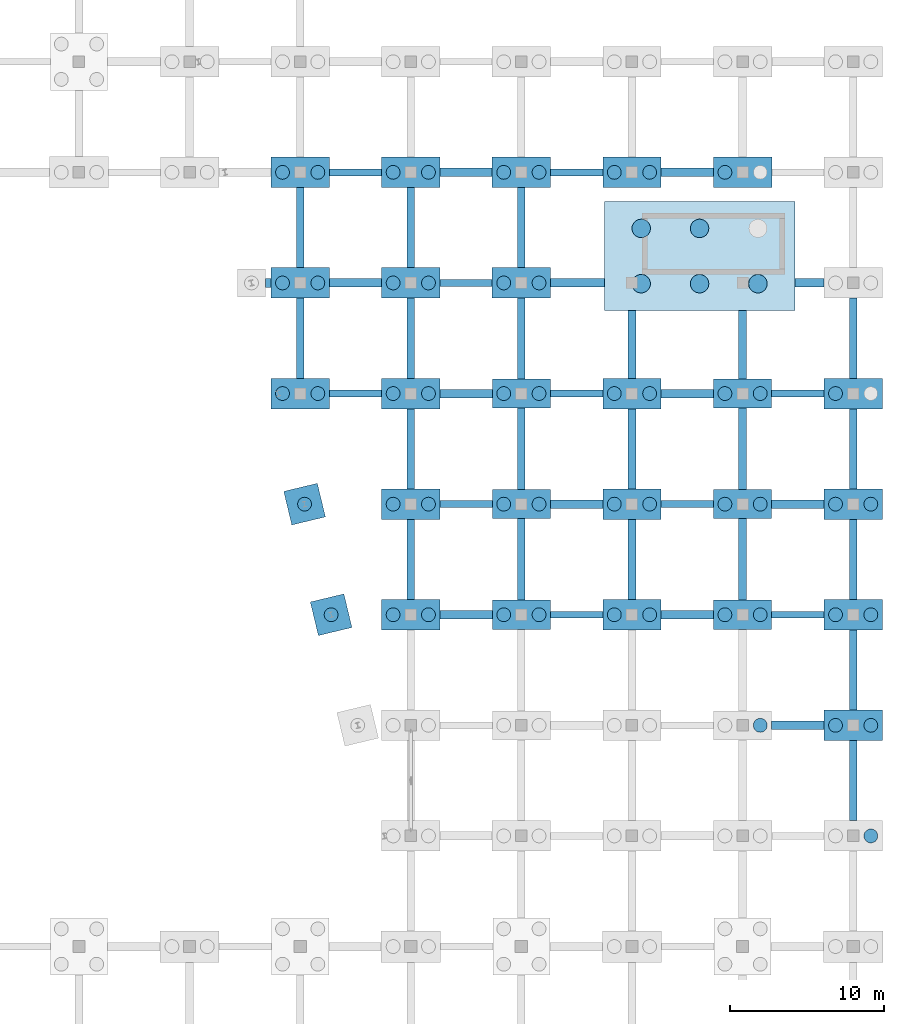
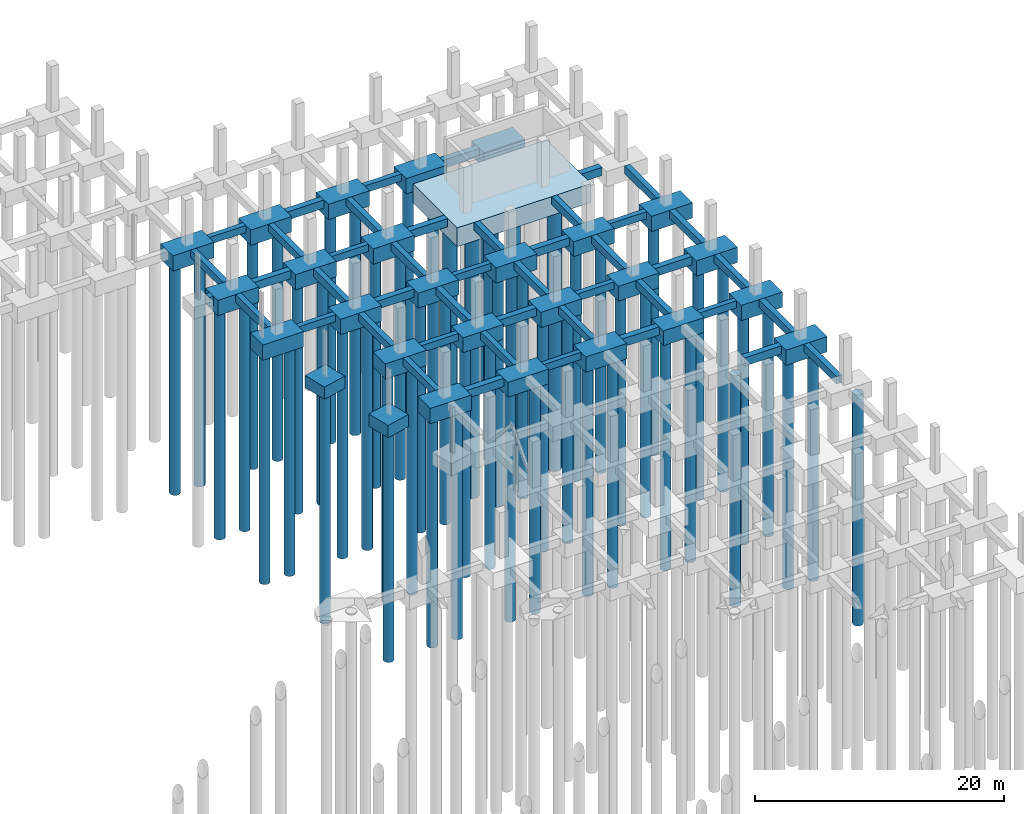
# One storey, part 13 of 36: 72 footings, 57 piles.
"""IFC4 building model written with IfcOpenShell, lengths in metres."""

import ifcopenshell
import ifcopenshell.guid

model = None  # the IFC model being written
_history = None  # IfcOwnerHistory: only IFC2X3 demands one
_inside = {}  # id of a spatial element -> (the spatial element, [elements in it])
_under = {}  # id of a project, library or spatial element -> (it, [spatial elements below it])
_declared = {}  # id of a project -> (the project, [libraries it declares])
_typed = {}  # id of a type object -> (the type object, [elements of that type])
_made_of = {}  # id of a material, layer set ... -> (it, [elements and type objects made of it])


def new_model(schema):
    """Start an empty IFC model of exactly this schema.

    Asked for "IFC4X3", IfcOpenShell would pick the latest addendum, in which some entities
    have other attributes; the version numbers below select the first issue.
    IFC2X3 requires an IfcOwnerHistory on every rooted entity: one is made here for all.
    """
    global model, _history
    if schema == "IFC4X3":
        model = ifcopenshell.file(schema_version=(4, 3, 0, 0))
    else:
        model = ifcopenshell.file(schema=schema)
    _inside.clear()
    _under.clear()
    _declared.clear()
    _typed.clear()
    _made_of.clear()
    _history = None
    if model.schema == "IFC2X3":
        org = make("IfcOrganization", Name="unknown")
        user = make(
            "IfcPersonAndOrganization",
            ThePerson=make("IfcPerson", FamilyName="unknown"),
            TheOrganization=org,
        )
        app = make(
            "IfcApplication",
            ApplicationDeveloper=org,
            Version="unknown",
            ApplicationFullName="unknown",
            ApplicationIdentifier="unknown",
        )
        _history = make(
            "IfcOwnerHistory",
            OwningUser=user,
            OwningApplication=app,
            ChangeAction="ADDED",
            CreationDate=0,
        )
    return model


def make(cls, **values):
    """One entity of the class cls with the attributes given. An attribute that is None is left unset."""
    return model.create_entity(
        cls, **{name: value for name, value in values.items() if value is not None}
    )


def rooted(cls, **values):
    """An entity with a GlobalId (a new one), such as an element, a storey or a relation."""
    return make(cls, GlobalId=ifcopenshell.guid.new(), OwnerHistory=_history, **values)


def si_unit(unit_type, name, prefix=None):
    """IfcSIUnit, for example si_unit("LENGTHUNIT", "METRE", prefix="MILLI")."""
    return make("IfcSIUnit", UnitType=unit_type, Prefix=prefix, Name=name)


def assignment(units):
    """IfcUnitAssignment: the units of a project."""
    return None if units is None else make("IfcUnitAssignment", Units=units)


def point(xyz):
    """IfcCartesianPoint."""
    return None if xyz is None else make("IfcCartesianPoint", Coordinates=xyz)


def direction(xyz):
    """IfcDirection."""
    return None if xyz is None else make("IfcDirection", DirectionRatios=xyz)


def frame(location, z_axis=None, x_axis=None):
    """IfcAxis2Placement3D, a coordinate frame: its origin and axes. An axis left out is left unset."""
    return make(
        "IfcAxis2Placement3D",
        Location=point(location),
        Axis=direction(z_axis),
        RefDirection=direction(x_axis),
    )


def frame_2d(location, x_axis=None):
    """IfcAxis2Placement2D, a coordinate frame in the plane: its origin and x axis."""
    return make(
        "IfcAxis2Placement2D", Location=point(location), RefDirection=direction(x_axis)
    )


def origin():
    """The frame at (0, 0, 0) with its axes left unset."""
    return frame((0.0, 0.0, 0.0))


def origin_2d():
    """The frame at (0, 0) in the plane with its x axis left unset."""
    return frame_2d((0.0, 0.0))


def place(relative_to, where):
    """IfcLocalPlacement: puts the frame where relative to a parent placement (None: the world)."""
    return make(
        "IfcLocalPlacement", PlacementRelTo=relative_to, RelativePlacement=where
    )


def context(
    kind, dimensions, precision=None, world=None, true_north=None, identifier=None
):
    """IfcGeometricRepresentationContext, for example the 3D "Model" context."""
    return make(
        "IfcGeometricRepresentationContext",
        ContextIdentifier=identifier,
        ContextType=kind,
        CoordinateSpaceDimension=dimensions,
        Precision=precision,
        WorldCoordinateSystem=world,
        TrueNorth=true_north,
    )


def subcontext(parent, identifier, kind, view, scale=None):
    """IfcGeometricRepresentationSubContext, for example "Body" below "Model"."""
    return make(
        "IfcGeometricRepresentationSubContext",
        ContextIdentifier=identifier,
        ContextType=kind,
        ParentContext=parent,
        TargetScale=scale,
        TargetView=view,
    )


def project(units=None, contexts=None):
    """IfcProject with its units and contexts."""
    return rooted(
        "IfcProject",
        Name="project",
        RepresentationContexts=contexts,
        UnitsInContext=assignment(units),
    )


def spatial(cls, under=None, at=None, **own):
    """A site, building, storey or space (cls), placed at a placement, below another one or the project."""
    s = rooted(cls, ObjectPlacement=at, **own)
    if under is not None:
        _under.setdefault(under.id(), (under, []))[1].append(s)
    return s


def profile(cls, at=None, kind="AREA", **sizes):
    """A parametric profile (cls). Its sizes go by their IFC names, for example OverallWidth=200.0."""
    return make(cls, ProfileType=kind, Position=at, **sizes)


def rectangle(**sizes):
    """IfcRectangleProfileDef."""
    return profile("IfcRectangleProfileDef", **sizes)


def circle(**sizes):
    """IfcCircleProfileDef."""
    return profile("IfcCircleProfileDef", **sizes)


def extrude(swept, where, along, depth):
    """IfcExtrudedAreaSolid: the profile swept, set in the frame where, extruded along a direction by depth."""
    return make(
        "IfcExtrudedAreaSolid",
        SweptArea=swept,
        Position=where,
        ExtrudedDirection=direction(along),
        Depth=depth,
    )


def shape(context_of_items, identifier, shape_type, items):
    """IfcShapeRepresentation: the items that make up one representation, for example the "Body"."""
    return make(
        "IfcShapeRepresentation",
        ContextOfItems=context_of_items,
        RepresentationIdentifier=identifier,
        RepresentationType=shape_type,
        Items=items,
    )


def material(Name=None, Category=None):
    """IfcMaterial."""
    return make("IfcMaterial", Name=Name, Category=Category)


def material_profile(
    of_material, cross_section, Name=None, Category=None, Priority=None
):
    """IfcMaterialProfile: a cross section and its material."""
    return make(
        "IfcMaterialProfile",
        Name=Name,
        Material=of_material,
        Profile=cross_section,
        Priority=Priority,
        Category=Category,
    )


def profile_set(profiles, Name=None, composite=None):
    """IfcMaterialProfileSet."""
    return make(
        "IfcMaterialProfileSet",
        Name=Name,
        MaterialProfiles=profiles,
        CompositeProfile=composite,
    )


def made_of(thing, what):
    """Note that an element or type object is made of a material, layer set ...; save() writes the relation."""
    if what is not None:
        _made_of.setdefault(what.id(), (what, []))[1].append(thing)
    return thing


def type_object(cls, material=None, **own):
    """A type object (cls), such as IfcWallType, which elements share."""
    return made_of(rooted(cls, **own), material)


def element(
    cls,
    number,
    at=None,
    inside=None,
    cuts=None,
    type_object=None,
    material=None,
    context=None,
    identifier="Body",
    shape_type=None,
    held_by="IfcProductDefinitionShape",
    body=None,
    shapes=None,
    **own,
):
    """One element of the class cls, such as IfcWall. Its Tag is "e" and its number.

    at: its placement. inside: the storey or other place that contains it. cuts: it is an
    opening in that element (IfcRelVoidsElement). A single representation is given by context,
    identifier, shape_type and body (its items); several are given by shapes. held_by: the class
    of the entity that holds the representations. save() writes the other relations.
    """
    e = rooted(cls, Tag="e%d" % number, ObjectPlacement=at, **own)
    if body is not None:
        shapes = [shape(context, identifier, shape_type, body)]
    if shapes is not None:
        e.Representation = make(held_by, Representations=shapes)
    if inside is not None:
        _inside.setdefault(inside.id(), (inside, []))[1].append(e)
    if cuts is not None:
        rooted(
            "IfcRelVoidsElement", RelatingBuildingElement=cuts, RelatedOpeningElement=e
        )
    if type_object is not None:
        _typed.setdefault(type_object.id(), (type_object, []))[1].append(e)
    return made_of(e, material)


def aggregate(whole, parts):
    """IfcRelAggregates: a whole, such as a stair, and the parts it consists of."""
    return rooted("IfcRelAggregates", RelatingObject=whole, RelatedObjects=parts)


def save(model, path):
    """Write the relations noted so far, then the file.

    IfcRelAggregates (storeys below a building ...), IfcRelContainedInSpatialStructure (elements
    in a storey), IfcRelDefinesByType, IfcRelAssociatesMaterial and IfcRelDeclares: one each for
    every whole, place, type object, material and project.
    """
    for whole, parts in _under.values():
        aggregate(whole, parts)
    for where, things in _inside.values():
        rooted(
            "IfcRelContainedInSpatialStructure",
            RelatedElements=things,
            RelatingStructure=where,
        )
    for kind, things in _typed.values():
        rooted("IfcRelDefinesByType", RelatedObjects=things, RelatingType=kind)
    for what, things in _made_of.values():
        rooted("IfcRelAssociatesMaterial", RelatedObjects=things, RelatingMaterial=what)
    for by, libraries in _declared.values():
        rooted("IfcRelDeclares", RelatingContext=by, RelatedDefinitions=libraries)
    model.write(path)


model = new_model("IFC4")

# Units and contexts
model_context = context("Model", 3, precision=1e-05, world=origin(), true_north=direction((0.0, 1.0)))
body_context = subcontext(model_context, "Body", "Model", "MODEL_VIEW")
ifc_project = project(units=[si_unit("LENGTHUNIT", "METRE"), si_unit("AREAUNIT", "SQUARE_METRE"), si_unit("VOLUMEUNIT", "CUBIC_METRE"), si_unit("PLANEANGLEUNIT", "RADIAN"), si_unit("MASSUNIT", "GRAM", prefix="KILO")], contexts=[model_context])

# Site, building, storey
site_placement = place(None, origin())
site = spatial("IfcSite", under=ifc_project, at=site_placement, CompositionType="ELEMENT")
building_placement = place(site_placement, origin())
building = spatial("IfcBuilding", under=site, at=building_placement, Name="Kalmorath City Hall", CompositionType="ELEMENT")
storey_placement = place(building_placement, frame((0.0, 0.0, -4.5)))
storey = spatial("IfcBuildingStorey", under=building, at=storey_placement, Name="B1", CompositionType="ELEMENT", Elevation=-4.5)

# Piles
ifc_material_1 = material(Name="Concrete C40/50", Category="concrete")
ifc_material_profile_1 = material_profile(ifc_material_1, circle(Radius=0.60009765625, at=origin_2d()), Name="PILE-D1200")
ifc_profile_set_1 = profile_set([ifc_material_profile_1], Name="Concrete C40/50")
pile_type_1 = type_object("IfcPileType", Name="Bored concrete pile D1200", PredefinedType="BORED", material=ifc_profile_set_1)
for number, where, z_axis, x_axis, name in (
    (1, (151.800048828125, 86.35009765625, -1.75), (0.0, 0.0, -1.0), (1.0, 0.0, 0.0), "Core mat bored pile PL-1200 FTG-CMAT-C6.1"),
    (2, (155.60009765625, 86.35009765625, -1.75), (0.0, 0.0, -1.0), (1.0, 0.0, 0.0), "Core mat bored pile PL-1200 FTG-CMAT-C6.2"),
    (3, (159.39990234375, 86.35009765625, -1.75), (0.0, 0.0, -1.0), (1.0, 0.0, 0.0), "Core mat bored pile PL-1200 FTG-CMAT-C6.3"),
    (4, (151.800048828125, 89.949951171875, -1.75), (0.0, 0.0, -1.0), (1.0, 0.0, 0.0), "Core mat bored pile PL-1200 FTG-CMAT-C6.4"),
    (5, (155.60009765625, 89.949951171875, -1.75), (0.0, 0.0, -1.0), (1.0, 0.0, 0.0), "Core mat bored pile PL-1200 FTG-CMAT-C6.5"),
):
    element("IfcPile", number, at=place(storey_placement, frame(where, z_axis=z_axis, x_axis=x_axis)), inside=storey, type_object=pile_type_1, Name=name, PredefinedType="BORED", context=body_context, shape_type="SweptSolid", body=[
        extrude(circle(Radius=0.60009765625, at=origin_2d()), origin(), (0.0, 0.0, 1.0), 26.25),
    ])
ifc_material_2 = material(Name="Concrete C40/50", Category="concrete")
ifc_material_profile_2 = material_profile(ifc_material_2, circle(Radius=0.449951171875, at=origin_2d()), Name="PILE-D900")
ifc_profile_set_2 = profile_set([ifc_material_profile_2], Name="Concrete C40/50")
pile_type_2 = type_object("IfcPileType", Name="Bored concrete pile D900", PredefinedType="BORED", material=ifc_profile_set_2)
for number, where, z_axis, x_axis, name in (
    (6, (128.449951171875, 79.199951171875, -1.39990234375), (0.0, 0.0, -1.0), (1.0, 0.0, 0.0), "Bored pile PL-900 19.12.1"),
    (7, (130.75, 79.199951171875, -1.39990234375), (0.0, 0.0, -1.0), (1.0, 0.0, 0.0), "Bored pile PL-900 19.12.2"),
    (8, (128.449951171875, 86.39990234375, -1.39990234375), (0.0, 0.0, -1.0), (1.0, 0.0, 0.0), "Bored pile PL-900 19.13.1"),
    (9, (130.75, 86.39990234375, -1.39990234375), (0.0, 0.0, -1.0), (1.0, 0.0, 0.0), "Bored pile PL-900 19.13.2"),
    (10, (128.449951171875, 93.60009765625, -1.39990234375), (0.0, 0.0, -1.0), (1.0, 0.0, 0.0), "Bored pile PL-900 19.14.1"),
    (11, (130.75, 93.60009765625, -1.39990234375), (0.0, 0.0, -1.0), (1.0, 0.0, 0.0), "Bored pile PL-900 19.14.2"),
    (12, (135.64990234375, 64.800048828125, -1.39990234375), (0.0, 0.0, -1.0), (1.0, 0.0, 0.0), "Bored pile PL-900 20.10.1"),
    (13, (137.949951171875, 64.800048828125, -1.39990234375), (0.0, 0.0, -1.0), (1.0, 0.0, 0.0), "Bored pile PL-900 20.10.2"),
    (14, (135.64990234375, 72.0, -1.39990234375), (0.0, 0.0, -1.0), (1.0, 0.0, 0.0), "Bored pile PL-900 20.11.1"),
    (15, (137.949951171875, 72.0, -1.39990234375), (0.0, 0.0, -1.0), (1.0, 0.0, 0.0), "Bored pile PL-900 20.11.2"),
    (16, (135.64990234375, 79.199951171875, -1.39990234375), (0.0, 0.0, -1.0), (1.0, 0.0, 0.0), "Bored pile PL-900 20.12.1"),
    (17, (137.949951171875, 79.199951171875, -1.39990234375), (0.0, 0.0, -1.0), (1.0, 0.0, 0.0), "Bored pile PL-900 20.12.2"),
    (18, (135.64990234375, 86.39990234375, -1.39990234375), (0.0, 0.0, -1.0), (1.0, 0.0, 0.0), "Bored pile PL-900 20.13.1"),
    (19, (137.949951171875, 86.39990234375, -1.39990234375), (0.0, 0.0, -1.0), (1.0, 0.0, 0.0), "Bored pile PL-900 20.13.2"),
    (20, (135.64990234375, 93.60009765625, -1.39990234375), (0.0, 0.0, -1.0), (1.0, 0.0, 0.0), "Bored pile PL-900 20.14.1"),
    (21, (137.949951171875, 93.60009765625, -1.39990234375), (0.0, 0.0, -1.0), (1.0, 0.0, 0.0), "Bored pile PL-900 20.14.2"),
):
    element("IfcPile", number, at=place(storey_placement, frame(where, z_axis=z_axis, x_axis=x_axis)), inside=storey, type_object=pile_type_2, Name=name, PredefinedType="BORED", context=body_context, shape_type="SweptSolid", body=[
        extrude(circle(Radius=0.449951171875, at=origin_2d()), origin(), (0.0, 0.0, 1.0), 22.60009765625),
    ])
for number, where, z_axis, x_axis, name in (
    (22, (142.85009765625, 64.800048828125, -1.35009765625), (0.0, 0.0, -1.0), (1.0, 0.0, 0.0), "Bored pile PL-900 21.10.1"),
    (23, (145.14990234375, 64.800048828125, -1.35009765625), (0.0, 0.0, -1.0), (1.0, 0.0, 0.0), "Bored pile PL-900 21.10.2"),
    (24, (142.85009765625, 72.0, -1.35009765625), (0.0, 0.0, -1.0), (1.0, 0.0, 0.0), "Bored pile PL-900 21.11.1"),
    (25, (145.14990234375, 72.0, -1.35009765625), (0.0, 0.0, -1.0), (1.0, 0.0, 0.0), "Bored pile PL-900 21.11.2"),
    (26, (142.85009765625, 79.199951171875, -1.35009765625), (0.0, 0.0, -1.0), (1.0, 0.0, 0.0), "Bored pile PL-900 21.12.1"),
    (27, (145.14990234375, 79.199951171875, -1.35009765625), (0.0, 0.0, -1.0), (1.0, 0.0, 0.0), "Bored pile PL-900 21.12.2"),
):
    element("IfcPile", number, at=place(storey_placement, frame(where, z_axis=z_axis, x_axis=x_axis)), inside=storey, type_object=pile_type_2, Name=name, PredefinedType="BORED", context=body_context, shape_type="SweptSolid", body=[
        extrude(circle(Radius=0.449951171875, at=origin_2d()), origin(), (0.0, 0.0, 1.0), 22.64990234375),
    ])
for number, where, z_axis, x_axis, name in (
    (28, (142.85009765625, 86.39990234375, -1.39990234375), (0.0, 0.0, -1.0), (1.0, 0.0, 0.0), "Bored pile PL-900 21.13.1"),
    (29, (145.14990234375, 86.39990234375, -1.39990234375), (0.0, 0.0, -1.0), (1.0, 0.0, 0.0), "Bored pile PL-900 21.13.2"),
    (30, (142.85009765625, 93.60009765625, -1.39990234375), (0.0, 0.0, -1.0), (1.0, 0.0, 0.0), "Bored pile PL-900 21.14.1"),
    (31, (145.14990234375, 93.60009765625, -1.39990234375), (0.0, 0.0, -1.0), (1.0, 0.0, 0.0), "Bored pile PL-900 21.14.2"),
    (32, (150.050048828125, 64.800048828125, -1.39990234375), (0.0, 0.0, -1.0), (1.0, 0.0, 0.0), "Bored pile PL-900 22.10.1"),
    (33, (152.35009765625, 64.800048828125, -1.39990234375), (0.0, 0.0, -1.0), (1.0, 0.0, 0.0), "Bored pile PL-900 22.10.2"),
    (34, (150.050048828125, 72.0, -1.39990234375), (0.0, 0.0, -1.0), (1.0, 0.0, 0.0), "Bored pile PL-900 22.11.1"),
    (35, (152.35009765625, 72.0, -1.39990234375), (0.0, 0.0, -1.0), (1.0, 0.0, 0.0), "Bored pile PL-900 22.11.2"),
    (36, (150.050048828125, 79.199951171875, -1.39990234375), (0.0, 0.0, -1.0), (1.0, 0.0, 0.0), "Bored pile PL-900 22.12.1"),
    (37, (152.35009765625, 79.199951171875, -1.39990234375), (0.0, 0.0, -1.0), (1.0, 0.0, 0.0), "Bored pile PL-900 22.12.2"),
    (38, (150.050048828125, 93.60009765625, -1.39990234375), (0.0, 0.0, -1.0), (1.0, 0.0, 0.0), "Bored pile PL-900 22.14.1"),
    (39, (152.35009765625, 93.60009765625, -1.39990234375), (0.0, 0.0, -1.0), (1.0, 0.0, 0.0), "Bored pile PL-900 22.14.2"),
):
    element("IfcPile", number, at=place(storey_placement, frame(where, z_axis=z_axis, x_axis=x_axis)), inside=storey, type_object=pile_type_2, Name=name, PredefinedType="BORED", context=body_context, shape_type="SweptSolid", body=[
        extrude(circle(Radius=0.449951171875, at=origin_2d()), origin(), (0.0, 0.0, 1.0), 22.60009765625),
    ])
for number, where, z_axis, x_axis, name in (
    (40, (159.550048828125, 57.60009765625, -1.35009765625), (0.0, 0.0, -1.0), (1.0, 0.0, 0.0), "Bored pile PL-900 23.9.2"),
    (41, (157.25, 64.800048828125, -1.35009765625), (0.0, 0.0, -1.0), (1.0, 0.0, 0.0), "Bored pile PL-900 23.10.1"),
    (42, (159.550048828125, 64.800048828125, -1.35009765625), (0.0, 0.0, -1.0), (1.0, 0.0, 0.0), "Bored pile PL-900 23.10.2"),
    (43, (157.25, 72.0, -1.35009765625), (0.0, 0.0, -1.0), (1.0, 0.0, 0.0), "Bored pile PL-900 23.11.1"),
    (44, (159.550048828125, 72.0, -1.35009765625), (0.0, 0.0, -1.0), (1.0, 0.0, 0.0), "Bored pile PL-900 23.11.2"),
    (45, (157.25, 79.199951171875, -1.35009765625), (0.0, 0.0, -1.0), (1.0, 0.0, 0.0), "Bored pile PL-900 23.12.1"),
    (46, (159.550048828125, 79.199951171875, -1.35009765625), (0.0, 0.0, -1.0), (1.0, 0.0, 0.0), "Bored pile PL-900 23.12.2"),
):
    element("IfcPile", number, at=place(storey_placement, frame(where, z_axis=z_axis, x_axis=x_axis)), inside=storey, type_object=pile_type_2, Name=name, PredefinedType="BORED", context=body_context, shape_type="SweptSolid", body=[
        extrude(circle(Radius=0.449951171875, at=origin_2d()), origin(), (0.0, 0.0, 1.0), 22.64990234375),
    ])
for number, where, z_axis, x_axis, name in (
    (47, (157.25, 93.60009765625, -1.39990234375), (0.0, 0.0, -1.0), (1.0, 0.0, 0.0), "Bored pile PL-900 23.14.1"),
    (48, (166.75, 50.39990234375, -1.39990234375), (0.0, 0.0, -1.0), (1.0, 0.0, 0.0), "Bored pile PL-900 24.8.2"),
    (49, (164.449951171875, 57.60009765625, -1.39990234375), (0.0, 0.0, -1.0), (1.0, 0.0, 0.0), "Bored pile PL-900 24.9.1"),
    (50, (166.75, 57.60009765625, -1.39990234375), (0.0, 0.0, -1.0), (1.0, 0.0, 0.0), "Bored pile PL-900 24.9.2"),
    (51, (164.449951171875, 64.800048828125, -1.39990234375), (0.0, 0.0, -1.0), (1.0, 0.0, 0.0), "Bored pile PL-900 24.10.1"),
    (52, (166.75, 64.800048828125, -1.39990234375), (0.0, 0.0, -1.0), (1.0, 0.0, 0.0), "Bored pile PL-900 24.10.2"),
    (53, (164.449951171875, 72.0, -1.39990234375), (0.0, 0.0, -1.0), (1.0, 0.0, 0.0), "Bored pile PL-900 24.11.1"),
    (54, (166.75, 72.0, -1.39990234375), (0.0, 0.0, -1.0), (1.0, 0.0, 0.0), "Bored pile PL-900 24.11.2"),
    (55, (164.449951171875, 79.199951171875, -1.39990234375), (0.0, 0.0, -1.0), (1.0, 0.0, 0.0), "Bored pile PL-900 24.12.1"),
):
    element("IfcPile", number, at=place(storey_placement, frame(where, z_axis=z_axis, x_axis=x_axis)), inside=storey, type_object=pile_type_2, Name=name, PredefinedType="BORED", context=body_context, shape_type="SweptSolid", body=[
        extrude(circle(Radius=0.449951171875, at=origin_2d()), origin(), (0.0, 0.0, 1.0), 22.60009765625),
    ])
for number, where, z_axis, x_axis, name in (
    (56, (131.6142578125, 64.800048828125, -1.10009765625), (0.0, 0.0, -1.0), (1.0, 0.0, 0.0), "Library splay bored pile PL-900-4"),
    (57, (129.8857421875, 72.0, -1.10009765625), (0.0, 0.0, -1.0), (1.0, 0.0, 0.0), "Library splay bored pile PL-900-5"),
):
    element("IfcPile", number, at=place(storey_placement, frame(where, z_axis=z_axis, x_axis=x_axis)), inside=storey, type_object=pile_type_2, Name=name, PredefinedType="BORED", context=body_context, shape_type="SweptSolid", body=[
        extrude(circle(Radius=0.449951171875, at=origin_2d()), origin(), (0.0, 0.0, 1.0), 22.89990234375),
    ])

# Footings
ifc_material_3 = material(Name="Concrete C40/50", Category="concrete")
ifc_material_profile_3 = material_profile(ifc_material_3, rectangle(XDim=0.449951171875, YDim=0.699951171875, at=origin_2d()), Name="RC-BM-450X700")
ifc_profile_set_3 = profile_set([ifc_material_profile_3], Name="Concrete C40/50")
footing_type_1 = type_object("IfcFootingType", Name="Concrete ground tie beam 450x700", PredefinedType="FOOTING_BEAM", material=ifc_profile_set_3)
for number, where, z_axis, x_axis, name in (
    (58, (131.5, 79.199951171875, -0.35009765625), (1.0, 0.0, 0.0), (0.0, 1.0, 0.0), "Ground tie beam GB4 X19-12"),
    (59, (131.5, 93.60009765625, -0.35009765625), (1.0, 0.0, 0.0), (0.0, 1.0, 0.0), "Ground tie beam GB4 X19-14"),
):
    element("IfcFooting", number, at=place(storey_placement, frame(where, z_axis=z_axis, x_axis=x_axis)), inside=storey, type_object=footing_type_1, Name=name, PredefinedType="FOOTING_BEAM", context=body_context, shape_type="SweptSolid", body=[
        extrude(rectangle(XDim=0.449951171875, YDim=0.699951171875, at=origin_2d()), origin(), (0.0, 0.0, 1.0), 3.39990234375),
    ])
footing_1_placement = place(storey_placement, frame((138.699951171875, 72.0, -0.35009765625), z_axis=(1.0, 0.0, 0.0), x_axis=(0.0, 1.0, 0.0)))
element("IfcFooting", 60, at=footing_1_placement, inside=storey, type_object=footing_type_1, Name="Ground tie beam GB4 X20-11", PredefinedType="FOOTING_BEAM", context=body_context, shape_type="SweptSolid", body=[
    extrude(rectangle(XDim=0.449951171875, YDim=0.699951171875, at=origin_2d()), origin(), (0.0, 0.0, 1.0), 3.420166015625),
])
footing_2_placement = place(storey_placement, frame((138.699951171875, 86.39990234375, -0.35009765625), z_axis=(1.0, 0.0, 0.0), x_axis=(0.0, 1.0, 0.0)))
element("IfcFooting", 61, at=footing_2_placement, inside=storey, type_object=footing_type_1, Name="Ground tie beam GB4 X20-13", PredefinedType="FOOTING_BEAM", context=body_context, shape_type="SweptSolid", body=[
    extrude(rectangle(XDim=0.449951171875, YDim=0.699951171875, at=origin_2d()), origin(), (0.0, 0.0, 1.0), 3.400146484375),
])
for number, where, z_axis, x_axis, name in (
    (62, (145.8798828125, 64.800048828125, -0.35009765625), (1.0, 0.0, 0.0), (0.0, 1.0, 0.0), "Ground tie beam GB4 X21-10"),
    (63, (145.8798828125, 79.199951171875, -0.35009765625), (1.0, 0.0, 0.0), (0.0, 1.0, 0.0), "Ground tie beam GB4 X21-12"),
):
    element("IfcFooting", number, at=place(storey_placement, frame(where, z_axis=z_axis, x_axis=x_axis)), inside=storey, type_object=footing_type_1, Name=name, PredefinedType="FOOTING_BEAM", context=body_context, shape_type="SweptSolid", body=[
        extrude(rectangle(XDim=0.449951171875, YDim=0.699951171875, at=origin_2d()), origin(), (0.0, 0.0, 1.0), 3.420166015625),
    ])
footing_3_placement = place(storey_placement, frame((145.89990234375, 93.60009765625, -0.35009765625), z_axis=(1.0, 0.0, 0.0), x_axis=(0.0, 1.0, 0.0)))
element("IfcFooting", 64, at=footing_3_placement, inside=storey, type_object=footing_type_1, Name="Ground tie beam GB4 X21-14", PredefinedType="FOOTING_BEAM", context=body_context, shape_type="SweptSolid", body=[
    extrude(rectangle(XDim=0.449951171875, YDim=0.699951171875, at=origin_2d()), origin(), (0.0, 0.0, 1.0), 3.400146484375),
])
for number, where, z_axis, x_axis, name in (
    (65, (153.10009765625, 72.0, -0.35009765625), (1.0, 0.0, 0.0), (0.0, 1.0, 0.0), "Ground tie beam GB4 X22-11"),
    (66, (160.280029296875, 64.800048828125, -0.35009765625), (1.0, 0.0, 0.0), (0.0, 1.0, 0.0), "Ground tie beam GB4 X23-10"),
    (67, (160.280029296875, 79.199951171875, -0.35009765625), (1.0, 0.0, 0.0), (0.0, 1.0, 0.0), "Ground tie beam GB4 X23-12"),
):
    element("IfcFooting", number, at=place(storey_placement, frame(where, z_axis=z_axis, x_axis=x_axis)), inside=storey, type_object=footing_type_1, Name=name, PredefinedType="FOOTING_BEAM", context=body_context, shape_type="SweptSolid", body=[
        extrude(rectangle(XDim=0.449951171875, YDim=0.699951171875, at=origin_2d()), origin(), (0.0, 0.0, 1.0), 3.419921875),
    ])
ifc_material_4 = material(Name="Concrete C40/50", Category="concrete")
ifc_material_profile_4 = material_profile(ifc_material_4, rectangle(XDim=0.5, YDim=0.75, at=origin_2d()), Name="RC-BM-500X750")
ifc_profile_set_4 = profile_set([ifc_material_profile_4], Name="Concrete C40/50")
footing_type_2 = type_object("IfcFootingType", Name="Concrete ground tie beam 500x750", PredefinedType="FOOTING_BEAM", material=ifc_profile_set_4)
footing_4_placement = place(storey_placement, frame((129.60009765625, 80.18994140625, -0.375), z_axis=(0.0, 1.0, 0.0), x_axis=(-1.0, 0.0, 0.0)))
element("IfcFooting", 68, at=footing_4_placement, inside=storey, type_object=footing_type_2, Name="Ground tie beam GB3 Y19-12", PredefinedType="FOOTING_BEAM", context=body_context, shape_type="SweptSolid", body=[
    extrude(rectangle(XDim=0.5, YDim=0.75, at=origin_2d()), origin(), (0.0, 0.0, 1.0), 5.219970703125),
])
footing_5_placement = place(storey_placement, frame((129.60009765625, 87.389892578125, -0.375), z_axis=(0.0, 1.0, 0.0), x_axis=(-1.0, 0.0, 0.0)))
element("IfcFooting", 69, at=footing_5_placement, inside=storey, type_object=footing_type_2, Name="Ground tie beam GB3 Y19-13", PredefinedType="FOOTING_BEAM", context=body_context, shape_type="SweptSolid", body=[
    extrude(rectangle(XDim=0.5, YDim=0.75, at=origin_2d()), origin(), (0.0, 0.0, 1.0), 5.22021484375),
])
for number, where, z_axis, x_axis, name in (
    (70, (136.800048828125, 65.7900390625, -0.375), (0.0, 1.0, 0.0), (-1.0, 0.0, 0.0), "Ground tie beam GB3 Y20-10"),
    (71, (136.800048828125, 72.989990234375, -0.375), (0.0, 1.0, 0.0), (-1.0, 0.0, 0.0), "Ground tie beam GB3 Y20-11"),
    (72, (136.800048828125, 80.18994140625, -0.375), (0.0, 1.0, 0.0), (-1.0, 0.0, 0.0), "Ground tie beam GB3 Y20-12"),
):
    element("IfcFooting", number, at=place(storey_placement, frame(where, z_axis=z_axis, x_axis=x_axis)), inside=storey, type_object=footing_type_2, Name=name, PredefinedType="FOOTING_BEAM", context=body_context, shape_type="SweptSolid", body=[
        extrude(rectangle(XDim=0.5, YDim=0.75, at=origin_2d()), origin(), (0.0, 0.0, 1.0), 5.219970703125),
    ])
footing_6_placement = place(storey_placement, frame((136.800048828125, 87.389892578125, -0.375), z_axis=(0.0, 1.0, 0.0), x_axis=(-1.0, 0.0, 0.0)))
element("IfcFooting", 73, at=footing_6_placement, inside=storey, type_object=footing_type_2, Name="Ground tie beam GB3 Y20-13", PredefinedType="FOOTING_BEAM", context=body_context, shape_type="SweptSolid", body=[
    extrude(rectangle(XDim=0.5, YDim=0.75, at=origin_2d()), origin(), (0.0, 0.0, 1.0), 5.22021484375),
])
for number, where, z_axis, x_axis, name in (
    (74, (144.0, 65.75, -0.375), (0.0, 1.0, 0.0), (-1.0, 0.0, 0.0), "Ground tie beam GB3 Y21-10"),
    (75, (144.0, 72.949951171875, -0.375), (0.0, 1.0, 0.0), (-1.0, 0.0, 0.0), "Ground tie beam GB3 Y21-11"),
):
    element("IfcFooting", number, at=place(storey_placement, frame(where, z_axis=z_axis, x_axis=x_axis)), inside=storey, type_object=footing_type_2, Name=name, PredefinedType="FOOTING_BEAM", context=body_context, shape_type="SweptSolid", body=[
        extrude(rectangle(XDim=0.5, YDim=0.75, at=origin_2d()), origin(), (0.0, 0.0, 1.0), 5.300048828125),
    ])
footing_7_placement = place(storey_placement, frame((144.0, 80.14990234375, -0.375), z_axis=(0.0, 1.0, 0.0), x_axis=(-1.0, 0.0, 0.0)))
element("IfcFooting", 76, at=footing_7_placement, inside=storey, type_object=footing_type_2, Name="Ground tie beam GB3 Y21-12", PredefinedType="FOOTING_BEAM", context=body_context, shape_type="SweptSolid", body=[
    extrude(rectangle(XDim=0.5, YDim=0.75, at=origin_2d()), origin(), (0.0, 0.0, 1.0), 5.260009765625),
])
footing_8_placement = place(storey_placement, frame((144.0, 87.389892578125, -0.375), z_axis=(0.0, 1.0, 0.0), x_axis=(-1.0, 0.0, 0.0)))
element("IfcFooting", 77, at=footing_8_placement, inside=storey, type_object=footing_type_2, Name="Ground tie beam GB3 Y21-13", PredefinedType="FOOTING_BEAM", context=body_context, shape_type="SweptSolid", body=[
    extrude(rectangle(XDim=0.5, YDim=0.75, at=origin_2d()), origin(), (0.0, 0.0, 1.0), 5.22021484375),
])
for number, where, z_axis, x_axis, name in (
    (78, (151.199951171875, 65.7900390625, -0.375), (0.0, 1.0, 0.0), (-1.0, 0.0, 0.0), "Ground tie beam GB3 Y22-10"),
    (79, (151.199951171875, 72.989990234375, -0.375), (0.0, 1.0, 0.0), (-1.0, 0.0, 0.0), "Ground tie beam GB3 Y22-11"),
):
    element("IfcFooting", number, at=place(storey_placement, frame(where, z_axis=z_axis, x_axis=x_axis)), inside=storey, type_object=footing_type_2, Name=name, PredefinedType="FOOTING_BEAM", context=body_context, shape_type="SweptSolid", body=[
        extrude(rectangle(XDim=0.5, YDim=0.75, at=origin_2d()), origin(), (0.0, 0.0, 1.0), 5.219970703125),
    ])
footing_9_placement = place(storey_placement, frame((151.199951171875, 80.18994140625, -0.375), z_axis=(0.0, 1.0, 0.0), x_axis=(-1.0, 0.0, 0.0)))
element("IfcFooting", 80, at=footing_9_placement, inside=storey, type_object=footing_type_2, Name="Ground tie beam GB3 Y22-12", PredefinedType="FOOTING_BEAM", context=body_context, shape_type="SweptSolid", body=[
    extrude(rectangle(XDim=0.5, YDim=0.75, at=origin_2d()), origin(), (0.0, 0.0, 1.0), 4.41015625),
])
for number, where, z_axis, x_axis, name in (
    (81, (158.39990234375, 65.75, -0.375), (0.0, 1.0, 0.0), (-1.0, 0.0, 0.0), "Ground tie beam GB3 Y23-10"),
    (82, (158.39990234375, 72.949951171875, -0.375), (0.0, 1.0, 0.0), (-1.0, 0.0, 0.0), "Ground tie beam GB3 Y23-11"),
):
    element("IfcFooting", number, at=place(storey_placement, frame(where, z_axis=z_axis, x_axis=x_axis)), inside=storey, type_object=footing_type_2, Name=name, PredefinedType="FOOTING_BEAM", context=body_context, shape_type="SweptSolid", body=[
        extrude(rectangle(XDim=0.5, YDim=0.75, at=origin_2d()), origin(), (0.0, 0.0, 1.0), 5.300048828125),
    ])
footing_10_placement = place(storey_placement, frame((158.39990234375, 80.14990234375, -0.375), z_axis=(0.0, 1.0, 0.0), x_axis=(-1.0, 0.0, 0.0)))
element("IfcFooting", 83, at=footing_10_placement, inside=storey, type_object=footing_type_2, Name="Ground tie beam GB3 Y23-12", PredefinedType="FOOTING_BEAM", context=body_context, shape_type="SweptSolid", body=[
    extrude(rectangle(XDim=0.5, YDim=0.75, at=origin_2d()), origin(), (0.0, 0.0, 1.0), 4.4501953125),
])
footing_11_placement = place(storey_placement, frame((165.60009765625, 51.389892578125, -0.375), z_axis=(0.0, 1.0, 0.0), x_axis=(-1.0, 0.0, 0.0)))
element("IfcFooting", 84, at=footing_11_placement, inside=storey, type_object=footing_type_2, Name="Ground tie beam GB3 Y24-8", PredefinedType="FOOTING_BEAM", context=body_context, shape_type="SweptSolid", body=[
    extrude(rectangle(XDim=0.5, YDim=0.75, at=origin_2d()), origin(), (0.0, 0.0, 1.0), 5.22021484375),
])
for number, where, z_axis, x_axis, name in (
    (85, (165.60009765625, 58.590087890625, -0.375), (0.0, 1.0, 0.0), (-1.0, 0.0, 0.0), "Ground tie beam GB3 Y24-9"),
    (86, (165.60009765625, 65.7900390625, -0.375), (0.0, 1.0, 0.0), (-1.0, 0.0, 0.0), "Ground tie beam GB3 Y24-10"),
    (87, (165.60009765625, 72.989990234375, -0.375), (0.0, 1.0, 0.0), (-1.0, 0.0, 0.0), "Ground tie beam GB3 Y24-11"),
    (88, (165.60009765625, 80.18994140625, -0.375), (0.0, 1.0, 0.0), (-1.0, 0.0, 0.0), "Ground tie beam GB3 Y24-12"),
):
    element("IfcFooting", number, at=place(storey_placement, frame(where, z_axis=z_axis, x_axis=x_axis)), inside=storey, type_object=footing_type_2, Name=name, PredefinedType="FOOTING_BEAM", context=body_context, shape_type="SweptSolid", body=[
        extrude(rectangle(XDim=0.5, YDim=0.75, at=origin_2d()), origin(), (0.0, 0.0, 1.0), 5.219970703125),
    ])
ifc_material_5 = material(Name="Concrete C40/50", Category="concrete")
ifc_material_profile_5 = material_profile(ifc_material_5, rectangle(XDim=0.550048828125, YDim=0.800048828125, at=origin_2d()), Name="RC-BM-550X800")
ifc_profile_set_5 = profile_set([ifc_material_profile_5], Name="Concrete C40/50")
footing_type_3 = type_object("IfcFootingType", Name="Concrete ground tie beam 550x800", PredefinedType="FOOTING_BEAM", material=ifc_profile_set_5)
footing_12_placement = place(storey_placement, frame((131.5, 86.39990234375, -0.39990234375), z_axis=(1.0, 0.0, 0.0), x_axis=(0.0, 1.0, 0.0)))
element("IfcFooting", 89, at=footing_12_placement, inside=storey, type_object=footing_type_3, Name="Ground tie beam GB2 X19-13", PredefinedType="FOOTING_BEAM", context=body_context, shape_type="SweptSolid", body=[
    extrude(rectangle(XDim=0.550048828125, YDim=0.800048828125, at=origin_2d()), origin(), (0.0, 0.0, 1.0), 3.39990234375),
])
for number, where, z_axis, x_axis, name in (
    (90, (138.699951171875, 64.800048828125, -0.39990234375), (1.0, 0.0, 0.0), (0.0, 1.0, 0.0), "Ground tie beam GB2 X20-10"),
    (91, (138.699951171875, 79.199951171875, -0.39990234375), (1.0, 0.0, 0.0), (0.0, 1.0, 0.0), "Ground tie beam GB2 X20-12"),
):
    element("IfcFooting", number, at=place(storey_placement, frame(where, z_axis=z_axis, x_axis=x_axis)), inside=storey, type_object=footing_type_3, Name=name, PredefinedType="FOOTING_BEAM", context=body_context, shape_type="SweptSolid", body=[
        extrude(rectangle(XDim=0.550048828125, YDim=0.800048828125, at=origin_2d()), origin(), (0.0, 0.0, 1.0), 3.420166015625),
    ])
footing_13_placement = place(storey_placement, frame((138.699951171875, 93.60009765625, -0.39990234375), z_axis=(1.0, 0.0, 0.0), x_axis=(0.0, 1.0, 0.0)))
element("IfcFooting", 92, at=footing_13_placement, inside=storey, type_object=footing_type_3, Name="Ground tie beam GB2 X20-14", PredefinedType="FOOTING_BEAM", context=body_context, shape_type="SweptSolid", body=[
    extrude(rectangle(XDim=0.550048828125, YDim=0.800048828125, at=origin_2d()), origin(), (0.0, 0.0, 1.0), 3.400146484375),
])
footing_14_placement = place(storey_placement, frame((145.8798828125, 72.0, -0.39990234375), z_axis=(1.0, 0.0, 0.0), x_axis=(0.0, 1.0, 0.0)))
element("IfcFooting", 93, at=footing_14_placement, inside=storey, type_object=footing_type_3, Name="Ground tie beam GB2 X21-11", PredefinedType="FOOTING_BEAM", context=body_context, shape_type="SweptSolid", body=[
    extrude(rectangle(XDim=0.550048828125, YDim=0.800048828125, at=origin_2d()), origin(), (0.0, 0.0, 1.0), 3.420166015625),
])
footing_15_placement = place(storey_placement, frame((145.89990234375, 86.39990234375, -0.39990234375), z_axis=(1.0, 0.0, 0.0), x_axis=(0.0, 1.0, 0.0)))
element("IfcFooting", 94, at=footing_15_placement, inside=storey, type_object=footing_type_3, Name="Ground tie beam GB2 X21-13", PredefinedType="FOOTING_BEAM", context=body_context, shape_type="SweptSolid", body=[
    extrude(rectangle(XDim=0.550048828125, YDim=0.800048828125, at=origin_2d()), origin(), (0.0, 0.0, 1.0), 3.5),
])
for number, where, z_axis, x_axis, name in (
    (95, (153.10009765625, 64.800048828125, -0.39990234375), (1.0, 0.0, 0.0), (0.0, 1.0, 0.0), "Ground tie beam GB2 X22-10"),
    (96, (153.10009765625, 79.199951171875, -0.39990234375), (1.0, 0.0, 0.0), (0.0, 1.0, 0.0), "Ground tie beam GB2 X22-12"),
):
    element("IfcFooting", number, at=place(storey_placement, frame(where, z_axis=z_axis, x_axis=x_axis)), inside=storey, type_object=footing_type_3, Name=name, PredefinedType="FOOTING_BEAM", context=body_context, shape_type="SweptSolid", body=[
        extrude(rectangle(XDim=0.550048828125, YDim=0.800048828125, at=origin_2d()), origin(), (0.0, 0.0, 1.0), 3.419921875),
    ])
footing_16_placement = place(storey_placement, frame((153.10009765625, 93.60009765625, -0.39990234375), z_axis=(1.0, 0.0, 0.0), x_axis=(0.0, 1.0, 0.0)))
element("IfcFooting", 97, at=footing_16_placement, inside=storey, type_object=footing_type_3, Name="Ground tie beam GB2 X22-14", PredefinedType="FOOTING_BEAM", context=body_context, shape_type="SweptSolid", body=[
    extrude(rectangle(XDim=0.550048828125, YDim=0.800048828125, at=origin_2d()), origin(), (0.0, 0.0, 1.0), 3.39990234375),
])
for number, where, z_axis, x_axis, name in (
    (98, (160.280029296875, 57.60009765625, -0.39990234375), (1.0, 0.0, 0.0), (0.0, 1.0, 0.0), "Ground tie beam GB2 X23-9"),
    (99, (160.280029296875, 72.0, -0.39990234375), (1.0, 0.0, 0.0), (0.0, 1.0, 0.0), "Ground tie beam GB2 X23-11"),
):
    element("IfcFooting", number, at=place(storey_placement, frame(where, z_axis=z_axis, x_axis=x_axis)), inside=storey, type_object=footing_type_3, Name=name, PredefinedType="FOOTING_BEAM", context=body_context, shape_type="SweptSolid", body=[
        extrude(rectangle(XDim=0.550048828125, YDim=0.800048828125, at=origin_2d()), origin(), (0.0, 0.0, 1.0), 3.419921875),
    ])
footing_17_placement = place(storey_placement, frame((161.800048828125, 86.39990234375, -0.39990234375), z_axis=(1.0, 0.0, 0.0), x_axis=(0.0, 1.0, 0.0)))
element("IfcFooting", 100, at=footing_17_placement, inside=storey, type_object=footing_type_3, Name="Ground tie beam GB2 X23-13", PredefinedType="FOOTING_BEAM", context=body_context, shape_type="SweptSolid", body=[
    extrude(rectangle(XDim=0.550048828125, YDim=0.800048828125, at=origin_2d()), origin(), (0.0, 0.0, 1.0), 1.89990234375),
])
ifc_material_6 = material(Name="Concrete C40/50", Category="concrete")
ifc_material_profile_6 = material_profile(ifc_material_6, rectangle(XDim=0.60009765625, YDim=0.89990234375, at=origin_2d()), Name="RC-BM-600X900")
ifc_profile_set_6 = profile_set([ifc_material_profile_6], Name="Concrete C40/50")
footing_type_4 = type_object("IfcFootingType", Name="Concrete ground tie beam 600x900", PredefinedType="FOOTING_BEAM", material=ifc_profile_set_6)
footing_18_placement = place(storey_placement, frame((127.32861328125, 86.39990234375, -0.449951171875), z_axis=(1.0, 0.0, 0.0), x_axis=(0.0, 1.0, 0.0)))
element("IfcFooting", 101, at=footing_18_placement, inside=storey, type_object=footing_type_4, Name="Library splay footing beam GB1-7", PredefinedType="FOOTING_BEAM", context=body_context, shape_type="SweptSolid", body=[
    extrude(rectangle(XDim=0.60009765625, YDim=0.89990234375, at=origin_2d()), origin(), (0.0, 0.0, 1.0), 0.371337890625),
])
ifc_material_7 = material(Name="Concrete C40/50", Category="concrete")
footing_type_5 = type_object("IfcFootingType", Name="Reinforced concrete combined core pile cap 12400x7100x1850", PredefinedType="PILE_CAP", material=ifc_material_7)
footing_19_placement = place(storey_placement, frame((155.60009765625, 88.14990234375, -1.85009765625), z_axis=(0.0, 0.0, 1.0), x_axis=(1.0, 0.0, 0.0)))
element("IfcFooting", 102, at=footing_19_placement, inside=storey, type_object=footing_type_5, Name="Combined core pile cap FTG-CMAT-C6", PredefinedType="PILE_CAP", context=body_context, shape_type="SweptSolid", body=[
    extrude(rectangle(XDim=12.39990234375, YDim=7.10009765625, at=origin_2d()), origin(), (0.0, 0.0, 1.0), 1.85009765625),
])
ifc_material_8 = material(Name="Concrete C40/50", Category="concrete")
footing_type_6 = type_object("IfcFootingType", Name="Reinforced concrete pad footing 2250x2250x1200", PredefinedType="PAD_FOOTING", material=ifc_material_8)
for number, where, z_axis, x_axis, name in (
    (103, (131.6142578125, 64.800048828125, -1.2001953125), (0.0, 0.0, 1.0), (0.972369920398, 0.233445363856, 0.0), "Library splay pad footing PF2-4"),
    (104, (129.8857421875, 72.0, -1.2001953125), (0.0, 0.0, 1.0), (0.972369920398, 0.233445363856, 0.0), "Library splay pad footing PF2-5"),
):
    element("IfcFooting", number, at=place(storey_placement, frame(where, z_axis=z_axis, x_axis=x_axis)), inside=storey, type_object=footing_type_6, Name=name, PredefinedType="PAD_FOOTING", context=body_context, shape_type="SweptSolid", body=[
        extrude(rectangle(XDim=2.25, YDim=2.25, at=origin_2d()), origin(), (0.0, 0.0, 1.0), 1.199951171875),
    ])
ifc_material_9 = material(Name="Concrete C40/50", Category="concrete")
footing_type_7 = type_object("IfcFootingType", Name="Two-pile concrete cap 3760x1900x1450", PredefinedType="PILE_CAP", material=ifc_material_9)
for number, where, z_axis, x_axis, name in (
    (105, (144.0, 64.800048828125, -1.4501953125), (0.0, 0.0, 1.0), (1.0, 0.0, 0.0), "Footing PC8 (21/10)"),
    (106, (144.0, 72.0, -1.4501953125), (0.0, 0.0, 1.0), (1.0, 0.0, 0.0), "Footing PC8 (21/11)"),
    (107, (144.0, 79.199951171875, -1.4501953125), (0.0, 0.0, 1.0), (1.0, 0.0, 0.0), "Footing PC8 (21/12)"),
    (108, (158.39990234375, 64.800048828125, -1.4501953125), (0.0, 0.0, 1.0), (1.0, 0.0, 0.0), "Footing PC8 (23/10)"),
    (109, (158.39990234375, 72.0, -1.4501953125), (0.0, 0.0, 1.0), (1.0, 0.0, 0.0), "Footing PC8 (23/11)"),
    (110, (158.39990234375, 79.199951171875, -1.4501953125), (0.0, 0.0, 1.0), (1.0, 0.0, 0.0), "Footing PC8 (23/12)"),
):
    element("IfcFooting", number, at=place(storey_placement, frame(where, z_axis=z_axis, x_axis=x_axis)), inside=storey, type_object=footing_type_7, Name=name, PredefinedType="PILE_CAP", context=body_context, shape_type="SweptSolid", body=[
        extrude(rectangle(XDim=3.760009765625, YDim=1.89990234375, at=origin_2d()), origin(), (0.0, 0.0, 1.0), 1.449951171875),
    ])
ifc_material_10 = material(Name="Concrete C40/50", Category="concrete")
footing_type_8 = type_object("IfcFootingType", Name="Two-pile concrete cap 3800x1980x1500", PredefinedType="PILE_CAP", material=ifc_material_10)
for number, where, z_axis, x_axis, name in (
    (111, (129.60009765625, 79.199951171875, -1.5), (0.0, 0.0, 1.0), (1.0, 0.0, 0.0), "Footing PC7 (19/12)"),
    (112, (129.60009765625, 86.39990234375, -1.5), (0.0, 0.0, 1.0), (1.0, 0.0, 0.0), "Footing PC7 (19/13)"),
    (113, (129.60009765625, 93.60009765625, -1.5), (0.0, 0.0, 1.0), (1.0, 0.0, 0.0), "Footing PC7 (19/14)"),
    (114, (136.800048828125, 64.800048828125, -1.5), (0.0, 0.0, 1.0), (1.0, 0.0, 0.0), "Footing PC7 (20/10)"),
    (115, (136.800048828125, 72.0, -1.5), (0.0, 0.0, 1.0), (1.0, 0.0, 0.0), "Footing PC7 (20/11)"),
    (116, (136.800048828125, 79.199951171875, -1.5), (0.0, 0.0, 1.0), (1.0, 0.0, 0.0), "Footing PC7 (20/12)"),
    (117, (136.800048828125, 86.39990234375, -1.5), (0.0, 0.0, 1.0), (1.0, 0.0, 0.0), "Footing PC7 (20/13)"),
    (118, (136.800048828125, 93.60009765625, -1.5), (0.0, 0.0, 1.0), (1.0, 0.0, 0.0), "Footing PC7 (20/14)"),
    (119, (144.0, 86.39990234375, -1.5), (0.0, 0.0, 1.0), (1.0, 0.0, 0.0), "Footing PC7 (21/13)"),
    (120, (144.0, 93.60009765625, -1.5), (0.0, 0.0, 1.0), (1.0, 0.0, 0.0), "Footing PC7 (21/14)"),
    (121, (151.199951171875, 64.800048828125, -1.5), (0.0, 0.0, 1.0), (1.0, 0.0, 0.0), "Footing PC7 (22/10)"),
    (122, (151.199951171875, 72.0, -1.5), (0.0, 0.0, 1.0), (1.0, 0.0, 0.0), "Footing PC7 (22/11)"),
    (123, (151.199951171875, 79.199951171875, -1.5), (0.0, 0.0, 1.0), (1.0, 0.0, 0.0), "Footing PC7 (22/12)"),
    (124, (151.199951171875, 93.60009765625, -1.5), (0.0, 0.0, 1.0), (1.0, 0.0, 0.0), "Footing PC7 (22/14)"),
    (125, (158.39990234375, 93.60009765625, -1.5), (0.0, 0.0, 1.0), (1.0, 0.0, 0.0), "Footing PC7 (23/14)"),
    (126, (165.60009765625, 57.60009765625, -1.5), (0.0, 0.0, 1.0), (1.0, 0.0, 0.0), "Footing PC7 (24/9)"),
    (127, (165.60009765625, 64.800048828125, -1.5), (0.0, 0.0, 1.0), (1.0, 0.0, 0.0), "Footing PC7 (24/10)"),
    (128, (165.60009765625, 72.0, -1.5), (0.0, 0.0, 1.0), (1.0, 0.0, 0.0), "Footing PC7 (24/11)"),
    (129, (165.60009765625, 79.199951171875, -1.5), (0.0, 0.0, 1.0), (1.0, 0.0, 0.0), "Footing PC7 (24/12)"),
):
    element("IfcFooting", number, at=place(storey_placement, frame(where, z_axis=z_axis, x_axis=x_axis)), inside=storey, type_object=footing_type_8, Name=name, PredefinedType="PILE_CAP", context=body_context, shape_type="SweptSolid", body=[
        extrude(rectangle(XDim=3.800048828125, YDim=1.97998046875, at=origin_2d()), origin(), (0.0, 0.0, 1.0), 1.5),
    ])

save(model, "model.ifc")
